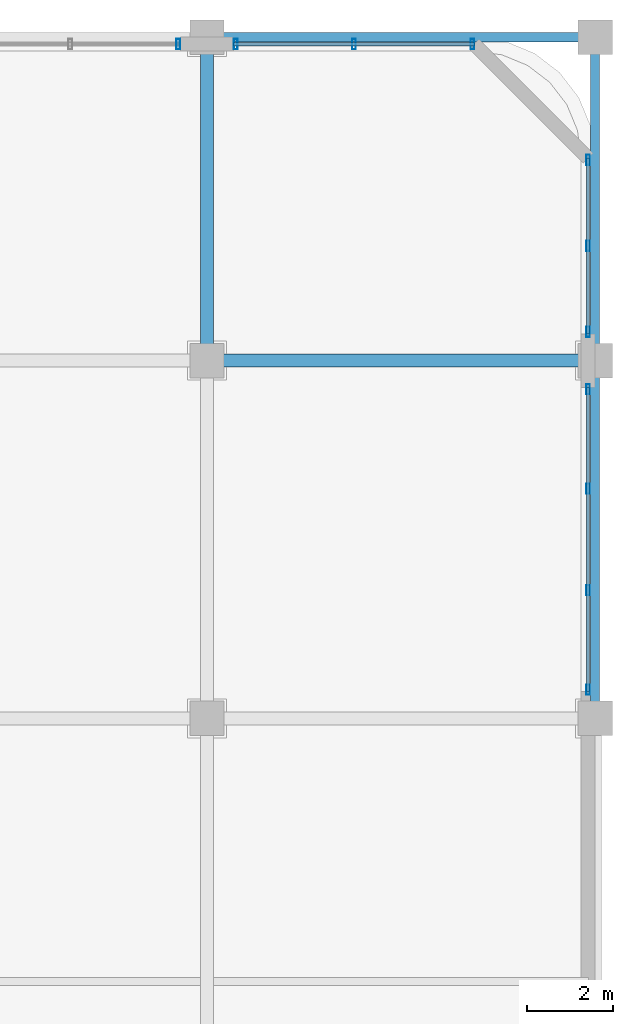
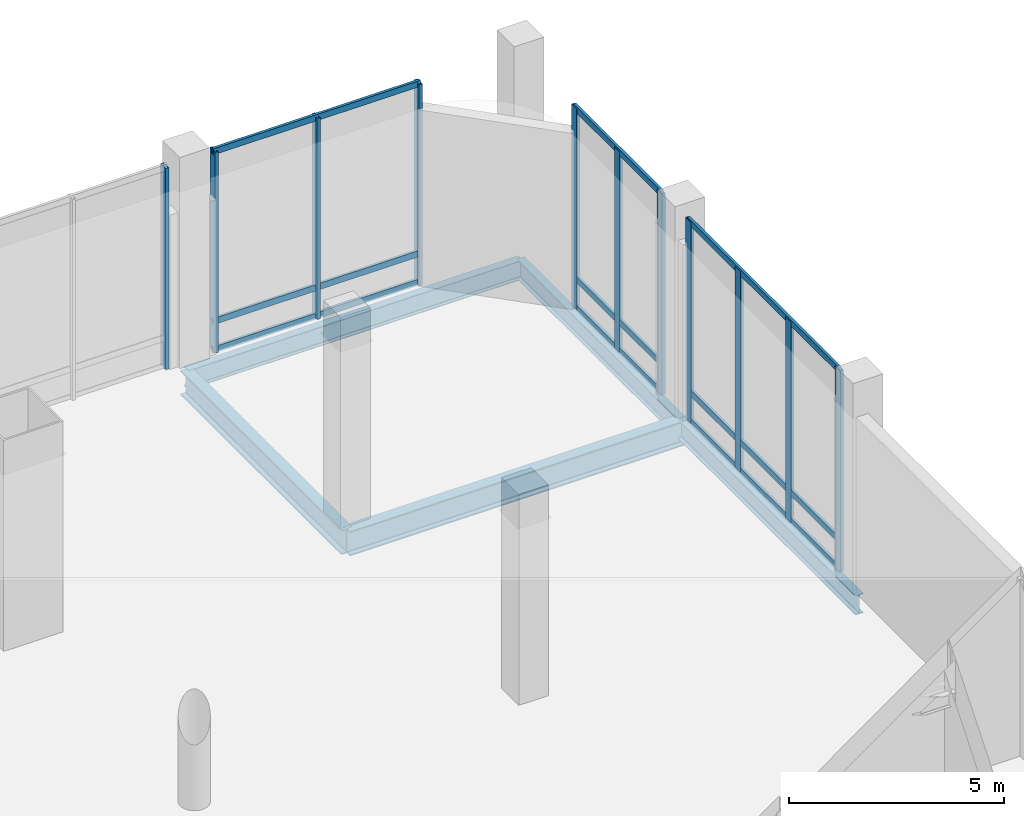
# One storey, part 21 of 38: 20 members, 5 beams, 4 elements without a shape of their own.
"""IFC4 building model written with IfcOpenShell, lengths in metres."""

import ifcopenshell
import ifcopenshell.guid

model = None  # the IFC model being written
_history = None  # IfcOwnerHistory: only IFC2X3 demands one
_inside = {}  # id of a spatial element -> (the spatial element, [elements in it])
_under = {}  # id of a project, library or spatial element -> (it, [spatial elements below it])
_declared = {}  # id of a project -> (the project, [libraries it declares])
_typed = {}  # id of a type object -> (the type object, [elements of that type])
_made_of = {}  # id of a material, layer set ... -> (it, [elements and type objects made of it])


def new_model(schema):
    """Start an empty IFC model of exactly this schema.

    Asked for "IFC4X3", IfcOpenShell would pick the latest addendum, in which some entities
    have other attributes; the version numbers below select the first issue.
    IFC2X3 requires an IfcOwnerHistory on every rooted entity: one is made here for all.
    """
    global model, _history
    if schema == "IFC4X3":
        model = ifcopenshell.file(schema_version=(4, 3, 0, 0))
    else:
        model = ifcopenshell.file(schema=schema)
    _inside.clear()
    _under.clear()
    _declared.clear()
    _typed.clear()
    _made_of.clear()
    _history = None
    if model.schema == "IFC2X3":
        org = make("IfcOrganization", Name="unknown")
        user = make(
            "IfcPersonAndOrganization",
            ThePerson=make("IfcPerson", FamilyName="unknown"),
            TheOrganization=org,
        )
        app = make(
            "IfcApplication",
            ApplicationDeveloper=org,
            Version="unknown",
            ApplicationFullName="unknown",
            ApplicationIdentifier="unknown",
        )
        _history = make(
            "IfcOwnerHistory",
            OwningUser=user,
            OwningApplication=app,
            ChangeAction="ADDED",
            CreationDate=0,
        )
    return model


def make(cls, **values):
    """One entity of the class cls with the attributes given. An attribute that is None is left unset."""
    return model.create_entity(
        cls, **{name: value for name, value in values.items() if value is not None}
    )


def rooted(cls, **values):
    """An entity with a GlobalId (a new one), such as an element, a storey or a relation."""
    return make(cls, GlobalId=ifcopenshell.guid.new(), OwnerHistory=_history, **values)


def si_unit(unit_type, name, prefix=None):
    """IfcSIUnit, for example si_unit("LENGTHUNIT", "METRE", prefix="MILLI")."""
    return make("IfcSIUnit", UnitType=unit_type, Prefix=prefix, Name=name)


def assignment(units):
    """IfcUnitAssignment: the units of a project."""
    return None if units is None else make("IfcUnitAssignment", Units=units)


def point(xyz):
    """IfcCartesianPoint."""
    return None if xyz is None else make("IfcCartesianPoint", Coordinates=xyz)


def direction(xyz):
    """IfcDirection."""
    return None if xyz is None else make("IfcDirection", DirectionRatios=xyz)


def frame(location, z_axis=None, x_axis=None):
    """IfcAxis2Placement3D, a coordinate frame: its origin and axes. An axis left out is left unset."""
    return make(
        "IfcAxis2Placement3D",
        Location=point(location),
        Axis=direction(z_axis),
        RefDirection=direction(x_axis),
    )


def frame_2d(location, x_axis=None):
    """IfcAxis2Placement2D, a coordinate frame in the plane: its origin and x axis."""
    return make(
        "IfcAxis2Placement2D", Location=point(location), RefDirection=direction(x_axis)
    )


def origin():
    """The frame at (0, 0, 0) with its axes left unset."""
    return frame((0.0, 0.0, 0.0))


def origin_2d():
    """The frame at (0, 0) in the plane with its x axis left unset."""
    return frame_2d((0.0, 0.0))


def place(relative_to, where):
    """IfcLocalPlacement: puts the frame where relative to a parent placement (None: the world)."""
    return make(
        "IfcLocalPlacement", PlacementRelTo=relative_to, RelativePlacement=where
    )


def context(
    kind, dimensions, precision=None, world=None, true_north=None, identifier=None
):
    """IfcGeometricRepresentationContext, for example the 3D "Model" context."""
    return make(
        "IfcGeometricRepresentationContext",
        ContextIdentifier=identifier,
        ContextType=kind,
        CoordinateSpaceDimension=dimensions,
        Precision=precision,
        WorldCoordinateSystem=world,
        TrueNorth=true_north,
    )


def subcontext(parent, identifier, kind, view, scale=None):
    """IfcGeometricRepresentationSubContext, for example "Body" below "Model"."""
    return make(
        "IfcGeometricRepresentationSubContext",
        ContextIdentifier=identifier,
        ContextType=kind,
        ParentContext=parent,
        TargetScale=scale,
        TargetView=view,
    )


def project(units=None, contexts=None):
    """IfcProject with its units and contexts."""
    return rooted(
        "IfcProject",
        Name="project",
        RepresentationContexts=contexts,
        UnitsInContext=assignment(units),
    )


def spatial(cls, under=None, at=None, **own):
    """A site, building, storey or space (cls), placed at a placement, below another one or the project."""
    s = rooted(cls, ObjectPlacement=at, **own)
    if under is not None:
        _under.setdefault(under.id(), (under, []))[1].append(s)
    return s


def profile(cls, at=None, kind="AREA", **sizes):
    """A parametric profile (cls). Its sizes go by their IFC names, for example OverallWidth=200.0."""
    return make(cls, ProfileType=kind, Position=at, **sizes)


def hollow_rectangle(**sizes):
    """IfcRectangleHollowProfileDef."""
    return profile("IfcRectangleHollowProfileDef", **sizes)


def i_section(**sizes):
    """IfcIShapeProfileDef."""
    return profile("IfcIShapeProfileDef", **sizes)


def extrude(swept, where, along, depth):
    """IfcExtrudedAreaSolid: the profile swept, set in the frame where, extruded along a direction by depth."""
    return make(
        "IfcExtrudedAreaSolid",
        SweptArea=swept,
        Position=where,
        ExtrudedDirection=direction(along),
        Depth=depth,
    )


def shape(context_of_items, identifier, shape_type, items):
    """IfcShapeRepresentation: the items that make up one representation, for example the "Body"."""
    return make(
        "IfcShapeRepresentation",
        ContextOfItems=context_of_items,
        RepresentationIdentifier=identifier,
        RepresentationType=shape_type,
        Items=items,
    )


def material(Name=None, Category=None):
    """IfcMaterial."""
    return make("IfcMaterial", Name=Name, Category=Category)


def material_profile(
    of_material, cross_section, Name=None, Category=None, Priority=None
):
    """IfcMaterialProfile: a cross section and its material."""
    return make(
        "IfcMaterialProfile",
        Name=Name,
        Material=of_material,
        Profile=cross_section,
        Priority=Priority,
        Category=Category,
    )


def profile_set(profiles, Name=None, composite=None):
    """IfcMaterialProfileSet."""
    return make(
        "IfcMaterialProfileSet",
        Name=Name,
        MaterialProfiles=profiles,
        CompositeProfile=composite,
    )


def made_of(thing, what):
    """Note that an element or type object is made of a material, layer set ...; save() writes the relation."""
    if what is not None:
        _made_of.setdefault(what.id(), (what, []))[1].append(thing)
    return thing


def type_object(cls, material=None, **own):
    """A type object (cls), such as IfcWallType, which elements share."""
    return made_of(rooted(cls, **own), material)


def element(
    cls,
    number,
    at=None,
    inside=None,
    cuts=None,
    type_object=None,
    material=None,
    context=None,
    identifier="Body",
    shape_type=None,
    held_by="IfcProductDefinitionShape",
    body=None,
    shapes=None,
    **own,
):
    """One element of the class cls, such as IfcWall. Its Tag is "e" and its number.

    at: its placement. inside: the storey or other place that contains it. cuts: it is an
    opening in that element (IfcRelVoidsElement). A single representation is given by context,
    identifier, shape_type and body (its items); several are given by shapes. held_by: the class
    of the entity that holds the representations. save() writes the other relations.
    """
    e = rooted(cls, Tag="e%d" % number, ObjectPlacement=at, **own)
    if body is not None:
        shapes = [shape(context, identifier, shape_type, body)]
    if shapes is not None:
        e.Representation = make(held_by, Representations=shapes)
    if inside is not None:
        _inside.setdefault(inside.id(), (inside, []))[1].append(e)
    if cuts is not None:
        rooted(
            "IfcRelVoidsElement", RelatingBuildingElement=cuts, RelatedOpeningElement=e
        )
    if type_object is not None:
        _typed.setdefault(type_object.id(), (type_object, []))[1].append(e)
    return made_of(e, material)


def aggregate(whole, parts):
    """IfcRelAggregates: a whole, such as a stair, and the parts it consists of."""
    return rooted("IfcRelAggregates", RelatingObject=whole, RelatedObjects=parts)


def save(model, path):
    """Write the relations noted so far, then the file.

    IfcRelAggregates (storeys below a building ...), IfcRelContainedInSpatialStructure (elements
    in a storey), IfcRelDefinesByType, IfcRelAssociatesMaterial and IfcRelDeclares: one each for
    every whole, place, type object, material and project.
    """
    for whole, parts in _under.values():
        aggregate(whole, parts)
    for where, things in _inside.values():
        rooted(
            "IfcRelContainedInSpatialStructure",
            RelatedElements=things,
            RelatingStructure=where,
        )
    for kind, things in _typed.values():
        rooted("IfcRelDefinesByType", RelatedObjects=things, RelatingType=kind)
    for what, things in _made_of.values():
        rooted("IfcRelAssociatesMaterial", RelatedObjects=things, RelatingMaterial=what)
    for by, libraries in _declared.values():
        rooted("IfcRelDeclares", RelatingContext=by, RelatedDefinitions=libraries)
    model.write(path)


model = new_model("IFC4")

# Units and contexts
model_context = context("Model", 3, precision=1e-05, world=origin(), true_north=direction((0.0, 1.0)))
body_context = subcontext(model_context, "Body", "Model", "MODEL_VIEW")
ifc_project = project(units=[si_unit("LENGTHUNIT", "METRE"), si_unit("AREAUNIT", "SQUARE_METRE"), si_unit("VOLUMEUNIT", "CUBIC_METRE"), si_unit("PLANEANGLEUNIT", "RADIAN"), si_unit("MASSUNIT", "GRAM", prefix="KILO")], contexts=[model_context])

# Site, building, storey
site_placement = place(None, origin())
site = spatial("IfcSite", under=ifc_project, at=site_placement, CompositionType="ELEMENT")
building_placement = place(site_placement, origin())
building = spatial("IfcBuilding", under=site, at=building_placement, Name="Punatoya Terracotta Tower", CompositionType="ELEMENT")
storey_placement = place(building_placement, frame((0.0, 0.0, 22.199951171875)))
storey = spatial("IfcBuildingStorey", under=building, at=storey_placement, Name="L04", CompositionType="ELEMENT", Elevation=22.199951171875)

# Beams
ifc_material_1 = material(Name="Steel S355", Category="steel")
ifc_material_profile_1 = material_profile(ifc_material_1, i_section(OverallWidth=0.300048828125, OverallDepth=0.699951171875, WebThickness=0.01708984375, FlangeThickness=0.031982421875, FilletRadius=0.01806640625, at=origin_2d()))
ifc_profile_set_1 = profile_set([ifc_material_profile_1], Name="Steel S355")
beam_type_1 = type_object("IfcBeamType", Name="BM-PRI-700", PredefinedType="BEAM", material=ifc_profile_set_1)
beam_1_placement = place(storey_placement, frame((28.0, 17.5, -0.72998046875), z_axis=(1.0, 0.0, 0.0), x_axis=(0.0, 1.0, 0.0)))
element("IfcBeam", 1, at=beam_1_placement, inside=storey, type_object=beam_type_1, Name="BM-L04-GE2", PredefinedType="BEAM", context=body_context, shape_type="SweptSolid", body=[
    extrude(i_section(OverallWidth=0.300048828125, OverallDepth=0.699951171875, WebThickness=0.01708984375, FlangeThickness=0.031982421875, FilletRadius=0.01806640625, at=origin_2d()), origin(), (0.0, 0.0, 1.0), 9.0),
])
beam_2_placement = place(storey_placement, frame((28.0, 17.5, -0.72998046875), z_axis=(0.0, 1.0, 0.0), x_axis=(-1.0, 0.0, 0.0)))
element("IfcBeam", 2, at=beam_2_placement, inside=storey, type_object=beam_type_1, Name="BM-L04-X28E-17", PredefinedType="BEAM", context=body_context, shape_type="SweptSolid", body=[
    extrude(i_section(OverallWidth=0.300048828125, OverallDepth=0.699951171875, WebThickness=0.01708984375, FlangeThickness=0.031982421875, FilletRadius=0.01806640625, at=origin_2d()), origin(), (0.0, 0.0, 1.0), 7.5),
])
ifc_material_profile_2 = material_profile(ifc_material_1, i_section(OverallWidth=0.2099609375, OverallDepth=0.550048828125, WebThickness=0.010986328125, FlangeThickness=0.01708984375, FilletRadius=0.01806640625, at=origin_2d()))
ifc_profile_set_2 = profile_set([ifc_material_profile_2], Name="Steel S355")
beam_type_2 = type_object("IfcBeamType", Name="BM-SPN-550", PredefinedType="SPANDREL", material=ifc_profile_set_2)
beam_3_placement = place(storey_placement, frame((28.0, 25.0, -0.655029296875), z_axis=(1.0, 0.0, 0.0), x_axis=(0.0, 1.0, 0.0)))
element("IfcBeam", 3, at=beam_3_placement, inside=storey, type_object=beam_type_2, Name="BM-L04-HE2", PredefinedType="SPANDREL", context=body_context, shape_type="SweptSolid", body=[
    extrude(i_section(OverallWidth=0.2099609375, OverallDepth=0.550048828125, WebThickness=0.010986328125, FlangeThickness=0.01708984375, FilletRadius=0.01806640625, at=origin_2d()), origin(), (0.0, 0.0, 1.0), 9.0),
])
beam_4_placement = place(storey_placement, frame((37.0, 9.199951171875, -0.655029296875), z_axis=(0.0, 1.0, 0.0), x_axis=(-1.0, 0.0, 0.0)))
element("IfcBeam", 4, at=beam_4_placement, inside=storey, type_object=beam_type_2, Name="BM-L04-X37E-9", PredefinedType="SPANDREL", context=body_context, shape_type="SweptSolid", body=[
    extrude(i_section(OverallWidth=0.2099609375, OverallDepth=0.550048828125, WebThickness=0.010986328125, FlangeThickness=0.01708984375, FilletRadius=0.01806640625, at=origin_2d()), origin(), (0.0, 0.0, 1.0), 8.300048828125),
])
beam_5_placement = place(storey_placement, frame((37.0, 17.5, -0.655029296875), z_axis=(0.0, 1.0, 0.0), x_axis=(-1.0, 0.0, 0.0)))
element("IfcBeam", 5, at=beam_5_placement, inside=storey, type_object=beam_type_2, Name="BM-L04-X37E-17", PredefinedType="SPANDREL", context=body_context, shape_type="SweptSolid", body=[
    extrude(i_section(OverallWidth=0.2099609375, OverallDepth=0.550048828125, WebThickness=0.010986328125, FlangeThickness=0.01708984375, FilletRadius=0.01806640625, at=origin_2d()), origin(), (0.0, 0.0, 1.0), 7.5),
])

# Curtain wall, member
ifc_material_2 = material(Name="Aluminium 6063-T6 + Double Low-E Glass", Category="aluminium")
curtain_wall_type = type_object("IfcCurtainWallType", Name="CW-POD", PredefinedType="NOTDEFINED", material=ifc_material_2)
curtain_wall_1_placement = place(storey_placement, origin())
curtain_wall_1 = element("IfcCurtainWall", 6, at=curtain_wall_1_placement, inside=storey, type_object=curtain_wall_type, Name="L04 Curtain Wall CWP-L04-N6", PredefinedType="NOTDEFINED")
ifc_material_3 = material(Name="Aluminium 6063-T6", Category="aluminium")
ifc_material_profile_3 = material_profile(ifc_material_3, hollow_rectangle(XDim=0.0849609375, YDim=0.239990234375, WallThickness=0.0048828125, at=origin_2d()))
ifc_profile_set_3 = profile_set([ifc_material_profile_3], Name="Aluminium 6063-T6")
member_type_1 = type_object("IfcMemberType", Name="CW-MUL-POD", PredefinedType="MULLION", material=ifc_profile_set_3)
member_1_placement = place(storey_placement, frame((27.3349609375, 24.840087890625, 0.0), z_axis=(0.0, 0.0, 1.0), x_axis=(1.0, 0.0, 0.0)))
member_1 = element("IfcMember", 7, at=member_1_placement, type_object=member_type_1, Name="CWP-L04-N6 Mullion 00", PredefinedType="MULLION", context=body_context, shape_type="SweptSolid", body=[
    extrude(hollow_rectangle(XDim=0.0849609375, YDim=0.239990234375, WallThickness=0.0048828125, at=origin_2d()), origin(), (0.0, 0.0, 1.0), 5.719970703125),
])
aggregate(curtain_wall_1, [member_1])

# Curtain wall, members
curtain_wall_2_placement = place(storey_placement, origin())
curtain_wall_2 = element("IfcCurtainWall", 8, at=curtain_wall_2_placement, inside=storey, type_object=curtain_wall_type, Name="L04 Curtain Wall CWP-L04-N7", PredefinedType="NOTDEFINED")
member_2_placement = place(storey_placement, frame((34.155029296875, 24.840087890625, 0.0), z_axis=(0.0, 0.0, 1.0), x_axis=(1.0, 0.0, 0.0)))
member_2 = element("IfcMember", 9, at=member_2_placement, type_object=member_type_1, Name="CWP-L04-N7 Mullion 00", PredefinedType="MULLION", context=body_context, shape_type="SweptSolid", body=[
    extrude(hollow_rectangle(XDim=0.0849609375, YDim=0.239990234375, WallThickness=0.0048828125, at=origin_2d()), origin(), (0.0, 0.0, 1.0), 5.719970703125),
])
member_3_placement = place(storey_placement, frame((31.409912109375, 24.840087890625, 0.0), z_axis=(0.0, 0.0, 1.0), x_axis=(1.0, 0.0, 0.0)))
member_3 = element("IfcMember", 10, at=member_3_placement, type_object=member_type_1, Name="CWP-L04-N7 Mullion 01", PredefinedType="MULLION", context=body_context, shape_type="SweptSolid", body=[
    extrude(hollow_rectangle(XDim=0.0849609375, YDim=0.239990234375, WallThickness=0.0048828125, at=origin_2d()), origin(), (0.0, 0.0, 1.0), 5.719970703125),
])
member_4_placement = place(storey_placement, frame((28.6650390625, 24.840087890625, 0.0), z_axis=(0.0, 0.0, 1.0), x_axis=(1.0, 0.0, 0.0)))
member_4 = element("IfcMember", 11, at=member_4_placement, type_object=member_type_1, Name="CWP-L04-N7 Mullion 02", PredefinedType="MULLION", context=body_context, shape_type="SweptSolid", body=[
    extrude(hollow_rectangle(XDim=0.0849609375, YDim=0.239990234375, WallThickness=0.0048828125, at=origin_2d()), origin(), (0.0, 0.0, 1.0), 5.719970703125),
])

curtain_wall_3_placement = place(storey_placement, origin())
curtain_wall_3 = element("IfcCurtainWall", 12, at=curtain_wall_3_placement, inside=storey, type_object=curtain_wall_type, Name="L04 Curtain Wall CWP-L04-E3", PredefinedType="NOTDEFINED")
member_5_placement = place(storey_placement, frame((36.840087890625, 16.8349609375, 0.0), z_axis=(0.0, 0.0, 1.0), x_axis=(1.0, 0.0, 0.0)))
member_5 = element("IfcMember", 13, at=member_5_placement, type_object=member_type_1, Name="CWP-L04-E3 Mullion 00", PredefinedType="MULLION", context=body_context, shape_type="SweptSolid", body=[
    extrude(hollow_rectangle(XDim=0.0849609375, YDim=0.239990234375, WallThickness=0.0048828125, at=origin_2d()), origin(), (0.0, 0.0, 1.0), 5.719970703125),
])
member_6_placement = place(storey_placement, frame((36.840087890625, 14.526611328125, 0.0), z_axis=(0.0, 0.0, 1.0), x_axis=(1.0, 0.0, 0.0)))
member_6 = element("IfcMember", 14, at=member_6_placement, type_object=member_type_1, Name="CWP-L04-E3 Mullion 01", PredefinedType="MULLION", context=body_context, shape_type="SweptSolid", body=[
    extrude(hollow_rectangle(XDim=0.0849609375, YDim=0.239990234375, WallThickness=0.0048828125, at=origin_2d()), origin(), (0.0, 0.0, 1.0), 5.719970703125),
])
member_7_placement = place(storey_placement, frame((36.840087890625, 12.17333984375, 0.0), z_axis=(0.0, 0.0, 1.0), x_axis=(1.0, 0.0, 0.0)))
member_7 = element("IfcMember", 15, at=member_7_placement, type_object=member_type_1, Name="CWP-L04-E3 Mullion 02", PredefinedType="MULLION", context=body_context, shape_type="SweptSolid", body=[
    extrude(hollow_rectangle(XDim=0.0849609375, YDim=0.239990234375, WallThickness=0.0048828125, at=origin_2d()), origin(), (0.0, 0.0, 1.0), 5.719970703125),
])
member_8_placement = place(storey_placement, frame((36.840087890625, 9.864990234375, 0.0), z_axis=(0.0, 0.0, 1.0), x_axis=(1.0, 0.0, 0.0)))
member_8 = element("IfcMember", 16, at=member_8_placement, type_object=member_type_1, Name="CWP-L04-E3 Mullion 03", PredefinedType="MULLION", context=body_context, shape_type="SweptSolid", body=[
    extrude(hollow_rectangle(XDim=0.0849609375, YDim=0.239990234375, WallThickness=0.0048828125, at=origin_2d()), origin(), (0.0, 0.0, 1.0), 5.719970703125),
])

curtain_wall_4_placement = place(storey_placement, origin())
curtain_wall_4 = element("IfcCurtainWall", 17, at=curtain_wall_4_placement, inside=storey, type_object=curtain_wall_type, Name="L04 Curtain Wall CWP-L04-E4", PredefinedType="NOTDEFINED")
member_9_placement = place(storey_placement, frame((36.840087890625, 22.155029296875, 0.0), z_axis=(0.0, 0.0, 1.0), x_axis=(1.0, 0.0, 0.0)))
member_9 = element("IfcMember", 18, at=member_9_placement, type_object=member_type_1, Name="CWP-L04-E4 Mullion 00", PredefinedType="MULLION", context=body_context, shape_type="SweptSolid", body=[
    extrude(hollow_rectangle(XDim=0.0849609375, YDim=0.239990234375, WallThickness=0.0048828125, at=origin_2d()), origin(), (0.0, 0.0, 1.0), 5.719970703125),
])
member_10_placement = place(storey_placement, frame((36.840087890625, 20.159912109375, 0.0), z_axis=(0.0, 0.0, 1.0), x_axis=(1.0, 0.0, 0.0)))
member_10 = element("IfcMember", 19, at=member_10_placement, type_object=member_type_1, Name="CWP-L04-E4 Mullion 01", PredefinedType="MULLION", context=body_context, shape_type="SweptSolid", body=[
    extrude(hollow_rectangle(XDim=0.0849609375, YDim=0.239990234375, WallThickness=0.0048828125, at=origin_2d()), origin(), (0.0, 0.0, 1.0), 5.719970703125),
])
member_11_placement = place(storey_placement, frame((36.840087890625, 18.1650390625, 0.0), z_axis=(0.0, 0.0, 1.0), x_axis=(1.0, 0.0, 0.0)))
member_11 = element("IfcMember", 20, at=member_11_placement, type_object=member_type_1, Name="CWP-L04-E4 Mullion 02", PredefinedType="MULLION", context=body_context, shape_type="SweptSolid", body=[
    extrude(hollow_rectangle(XDim=0.0849609375, YDim=0.239990234375, WallThickness=0.0048828125, at=origin_2d()), origin(), (0.0, 0.0, 1.0), 5.719970703125),
])

# Member
ifc_material_profile_4 = material_profile(ifc_material_3, hollow_rectangle(XDim=0.074951171875, YDim=0.175048828125, WallThickness=0.00439453125, at=origin_2d()))
ifc_profile_set_4 = profile_set([ifc_material_profile_4], Name="Aluminium 6063-T6")
member_type_2 = type_object("IfcMemberType", Name="CW-TRN-POD", PredefinedType="USERDEFINED", material=ifc_profile_set_4)
member_12_placement = place(storey_placement, frame((34.199951171875, 24.840087890625, 0.0400390625), z_axis=(-1.0, 0.0, 0.0), x_axis=(0.0, -1.0, 0.0)))
member_12 = element("IfcMember", 21, at=member_12_placement, type_object=member_type_2, Name="CWP-L04-N7 Transom 1", ObjectType="TRANSOM", PredefinedType="USERDEFINED", context=body_context, shape_type="SweptSolid", body=[
    extrude(hollow_rectangle(XDim=0.074951171875, YDim=0.175048828125, WallThickness=0.00439453125, at=origin_2d()), origin(), (0.0, 0.0, 1.0), 5.579833984375),
])

member_13_placement = place(storey_placement, frame((34.199951171875, 24.840087890625, 0.85009765625), z_axis=(-1.0, 0.0, 0.0), x_axis=(0.0, -1.0, 0.0)))
member_13 = element("IfcMember", 22, at=member_13_placement, type_object=member_type_2, Name="CWP-L04-N7 Transom 2", ObjectType="TRANSOM", PredefinedType="USERDEFINED", context=body_context, shape_type="SweptSolid", body=[
    extrude(hollow_rectangle(XDim=0.074951171875, YDim=0.175048828125, WallThickness=0.00439453125, at=origin_2d()), origin(), (0.0, 0.0, 1.0), 5.579833984375),
])

member_14_placement = place(storey_placement, frame((34.199951171875, 24.840087890625, 5.679931640625), z_axis=(-1.0, 0.0, 0.0), x_axis=(0.0, -1.0, 0.0)))
member_14 = element("IfcMember", 23, at=member_14_placement, type_object=member_type_2, Name="CWP-L04-N7 Transom 3", ObjectType="TRANSOM", PredefinedType="USERDEFINED", context=body_context, shape_type="SweptSolid", body=[
    extrude(hollow_rectangle(XDim=0.074951171875, YDim=0.175048828125, WallThickness=0.00439453125, at=origin_2d()), origin(), (0.0, 0.0, 1.0), 5.579833984375),
])

aggregate(curtain_wall_2, [member_2, member_3, member_4, member_12, member_13, member_14])

member_15_placement = place(storey_placement, frame((36.840087890625, 16.8798828125, 0.0400390625), z_axis=(0.0, -1.0, 0.0), x_axis=(1.0, 0.0, 0.0)))
member_15 = element("IfcMember", 24, at=member_15_placement, type_object=member_type_2, Name="CWP-L04-E3 Transom 1", ObjectType="TRANSOM", PredefinedType="USERDEFINED", context=body_context, shape_type="SweptSolid", body=[
    extrude(hollow_rectangle(XDim=0.074951171875, YDim=0.175048828125, WallThickness=0.00439453125, at=origin_2d()), origin(), (0.0, 0.0, 1.0), 7.059814453125),
])

member_16_placement = place(storey_placement, frame((36.840087890625, 16.8798828125, 0.85009765625), z_axis=(0.0, -1.0, 0.0), x_axis=(1.0, 0.0, 0.0)))
member_16 = element("IfcMember", 25, at=member_16_placement, type_object=member_type_2, Name="CWP-L04-E3 Transom 2", ObjectType="TRANSOM", PredefinedType="USERDEFINED", context=body_context, shape_type="SweptSolid", body=[
    extrude(hollow_rectangle(XDim=0.074951171875, YDim=0.175048828125, WallThickness=0.00439453125, at=origin_2d()), origin(), (0.0, 0.0, 1.0), 7.059814453125),
])

member_17_placement = place(storey_placement, frame((36.840087890625, 16.8798828125, 5.679931640625), z_axis=(0.0, -1.0, 0.0), x_axis=(1.0, 0.0, 0.0)))
member_17 = element("IfcMember", 26, at=member_17_placement, type_object=member_type_2, Name="CWP-L04-E3 Transom 3", ObjectType="TRANSOM", PredefinedType="USERDEFINED", context=body_context, shape_type="SweptSolid", body=[
    extrude(hollow_rectangle(XDim=0.074951171875, YDim=0.175048828125, WallThickness=0.00439453125, at=origin_2d()), origin(), (0.0, 0.0, 1.0), 7.059814453125),
])

aggregate(curtain_wall_3, [member_5, member_6, member_7, member_8, member_15, member_16, member_17])

member_18_placement = place(storey_placement, frame((36.840087890625, 22.199951171875, 0.0400390625), z_axis=(0.0, -1.0, 0.0), x_axis=(1.0, 0.0, 0.0)))
member_18 = element("IfcMember", 27, at=member_18_placement, type_object=member_type_2, Name="CWP-L04-E4 Transom 1", ObjectType="TRANSOM", PredefinedType="USERDEFINED", context=body_context, shape_type="SweptSolid", body=[
    extrude(hollow_rectangle(XDim=0.074951171875, YDim=0.175048828125, WallThickness=0.00439453125, at=origin_2d()), origin(), (0.0, 0.0, 1.0), 4.079833984375),
])

member_19_placement = place(storey_placement, frame((36.840087890625, 22.199951171875, 0.85009765625), z_axis=(0.0, -1.0, 0.0), x_axis=(1.0, 0.0, 0.0)))
member_19 = element("IfcMember", 28, at=member_19_placement, type_object=member_type_2, Name="CWP-L04-E4 Transom 2", ObjectType="TRANSOM", PredefinedType="USERDEFINED", context=body_context, shape_type="SweptSolid", body=[
    extrude(hollow_rectangle(XDim=0.074951171875, YDim=0.175048828125, WallThickness=0.00439453125, at=origin_2d()), origin(), (0.0, 0.0, 1.0), 4.079833984375),
])

member_20_placement = place(storey_placement, frame((36.840087890625, 22.199951171875, 5.679931640625), z_axis=(0.0, -1.0, 0.0), x_axis=(1.0, 0.0, 0.0)))
member_20 = element("IfcMember", 29, at=member_20_placement, type_object=member_type_2, Name="CWP-L04-E4 Transom 3", ObjectType="TRANSOM", PredefinedType="USERDEFINED", context=body_context, shape_type="SweptSolid", body=[
    extrude(hollow_rectangle(XDim=0.074951171875, YDim=0.175048828125, WallThickness=0.00439453125, at=origin_2d()), origin(), (0.0, 0.0, 1.0), 4.079833984375),
])

aggregate(curtain_wall_4, [member_9, member_10, member_11, member_18, member_19, member_20])

save(model, "model.ifc")
